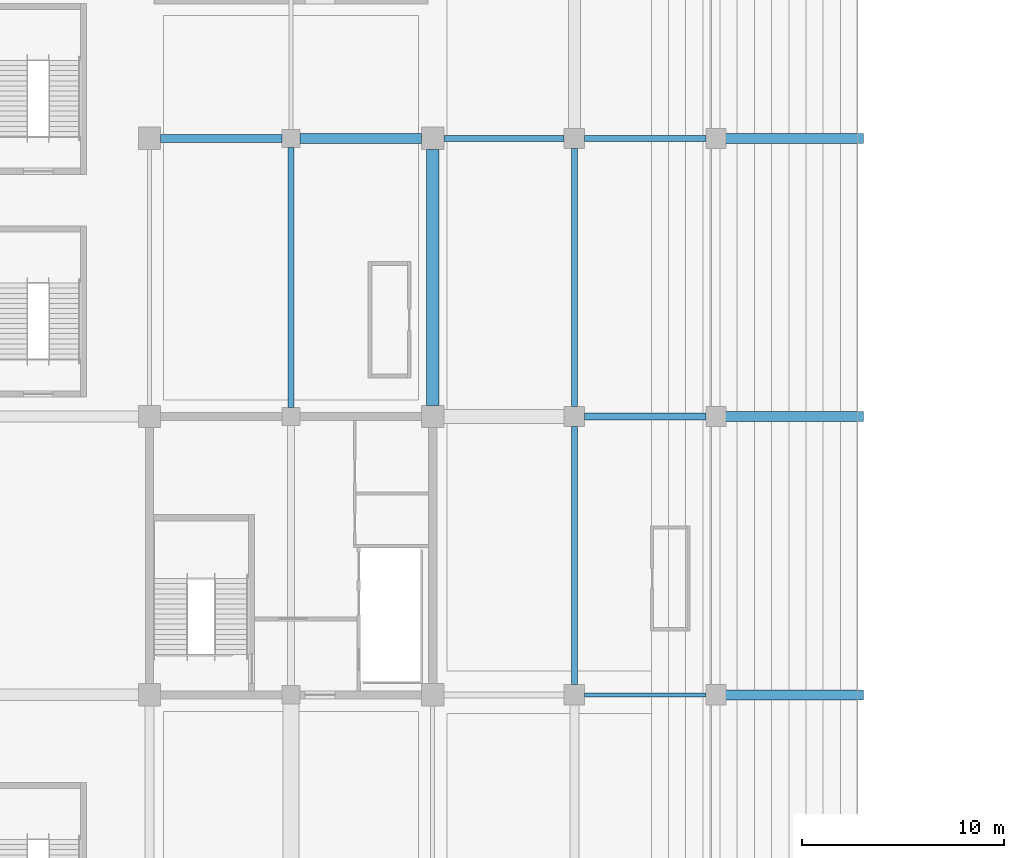
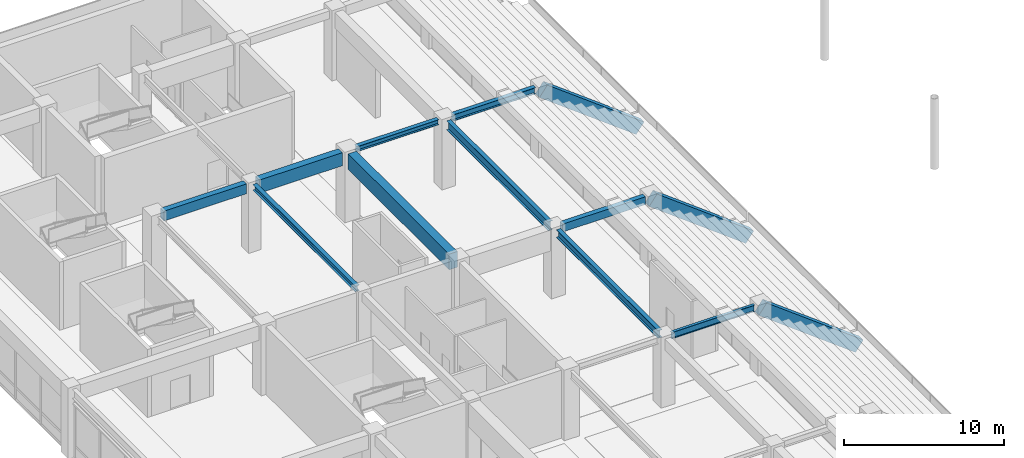
# One storey, part 47 of 117: 13 beams.
"""IFC4 building model written with IfcOpenShell, lengths in metres."""

import ifcopenshell
import ifcopenshell.guid

model = None  # the IFC model being written
_history = None  # IfcOwnerHistory: only IFC2X3 demands one
_inside = {}  # id of a spatial element -> (the spatial element, [elements in it])
_under = {}  # id of a project, library or spatial element -> (it, [spatial elements below it])
_declared = {}  # id of a project -> (the project, [libraries it declares])
_typed = {}  # id of a type object -> (the type object, [elements of that type])
_made_of = {}  # id of a material, layer set ... -> (it, [elements and type objects made of it])


def new_model(schema):
    """Start an empty IFC model of exactly this schema.

    Asked for "IFC4X3", IfcOpenShell would pick the latest addendum, in which some entities
    have other attributes; the version numbers below select the first issue.
    IFC2X3 requires an IfcOwnerHistory on every rooted entity: one is made here for all.
    """
    global model, _history
    if schema == "IFC4X3":
        model = ifcopenshell.file(schema_version=(4, 3, 0, 0))
    else:
        model = ifcopenshell.file(schema=schema)
    _inside.clear()
    _under.clear()
    _declared.clear()
    _typed.clear()
    _made_of.clear()
    _history = None
    if model.schema == "IFC2X3":
        org = make("IfcOrganization", Name="unknown")
        user = make(
            "IfcPersonAndOrganization",
            ThePerson=make("IfcPerson", FamilyName="unknown"),
            TheOrganization=org,
        )
        app = make(
            "IfcApplication",
            ApplicationDeveloper=org,
            Version="unknown",
            ApplicationFullName="unknown",
            ApplicationIdentifier="unknown",
        )
        _history = make(
            "IfcOwnerHistory",
            OwningUser=user,
            OwningApplication=app,
            ChangeAction="ADDED",
            CreationDate=0,
        )
    return model


def make(cls, **values):
    """One entity of the class cls with the attributes given. An attribute that is None is left unset."""
    return model.create_entity(
        cls, **{name: value for name, value in values.items() if value is not None}
    )


def rooted(cls, **values):
    """An entity with a GlobalId (a new one), such as an element, a storey or a relation."""
    return make(cls, GlobalId=ifcopenshell.guid.new(), OwnerHistory=_history, **values)


def si_unit(unit_type, name, prefix=None):
    """IfcSIUnit, for example si_unit("LENGTHUNIT", "METRE", prefix="MILLI")."""
    return make("IfcSIUnit", UnitType=unit_type, Prefix=prefix, Name=name)


def assignment(units):
    """IfcUnitAssignment: the units of a project."""
    return None if units is None else make("IfcUnitAssignment", Units=units)


def point(xyz):
    """IfcCartesianPoint."""
    return None if xyz is None else make("IfcCartesianPoint", Coordinates=xyz)


def direction(xyz):
    """IfcDirection."""
    return None if xyz is None else make("IfcDirection", DirectionRatios=xyz)


def frame(location, z_axis=None, x_axis=None):
    """IfcAxis2Placement3D, a coordinate frame: its origin and axes. An axis left out is left unset."""
    return make(
        "IfcAxis2Placement3D",
        Location=point(location),
        Axis=direction(z_axis),
        RefDirection=direction(x_axis),
    )


def frame_2d(location, x_axis=None):
    """IfcAxis2Placement2D, a coordinate frame in the plane: its origin and x axis."""
    return make(
        "IfcAxis2Placement2D", Location=point(location), RefDirection=direction(x_axis)
    )


def origin():
    """The frame at (0, 0, 0) with its axes left unset."""
    return frame((0.0, 0.0, 0.0))


def origin_2d():
    """The frame at (0, 0) in the plane with its x axis left unset."""
    return frame_2d((0.0, 0.0))


def place(relative_to, where):
    """IfcLocalPlacement: puts the frame where relative to a parent placement (None: the world)."""
    return make(
        "IfcLocalPlacement", PlacementRelTo=relative_to, RelativePlacement=where
    )


def context(
    kind, dimensions, precision=None, world=None, true_north=None, identifier=None
):
    """IfcGeometricRepresentationContext, for example the 3D "Model" context."""
    return make(
        "IfcGeometricRepresentationContext",
        ContextIdentifier=identifier,
        ContextType=kind,
        CoordinateSpaceDimension=dimensions,
        Precision=precision,
        WorldCoordinateSystem=world,
        TrueNorth=true_north,
    )


def subcontext(parent, identifier, kind, view, scale=None):
    """IfcGeometricRepresentationSubContext, for example "Body" below "Model"."""
    return make(
        "IfcGeometricRepresentationSubContext",
        ContextIdentifier=identifier,
        ContextType=kind,
        ParentContext=parent,
        TargetScale=scale,
        TargetView=view,
    )


def project(units=None, contexts=None):
    """IfcProject with its units and contexts."""
    return rooted(
        "IfcProject",
        Name="project",
        RepresentationContexts=contexts,
        UnitsInContext=assignment(units),
    )


def spatial(cls, under=None, at=None, **own):
    """A site, building, storey or space (cls), placed at a placement, below another one or the project."""
    s = rooted(cls, ObjectPlacement=at, **own)
    if under is not None:
        _under.setdefault(under.id(), (under, []))[1].append(s)
    return s


def profile(cls, at=None, kind="AREA", **sizes):
    """A parametric profile (cls). Its sizes go by their IFC names, for example OverallWidth=200.0."""
    return make(cls, ProfileType=kind, Position=at, **sizes)


def rectangle(**sizes):
    """IfcRectangleProfileDef."""
    return profile("IfcRectangleProfileDef", **sizes)


def i_section(**sizes):
    """IfcIShapeProfileDef."""
    return profile("IfcIShapeProfileDef", **sizes)


def extrude(swept, where, along, depth):
    """IfcExtrudedAreaSolid: the profile swept, set in the frame where, extruded along a direction by depth."""
    return make(
        "IfcExtrudedAreaSolid",
        SweptArea=swept,
        Position=where,
        ExtrudedDirection=direction(along),
        Depth=depth,
    )


def shape(context_of_items, identifier, shape_type, items):
    """IfcShapeRepresentation: the items that make up one representation, for example the "Body"."""
    return make(
        "IfcShapeRepresentation",
        ContextOfItems=context_of_items,
        RepresentationIdentifier=identifier,
        RepresentationType=shape_type,
        Items=items,
    )


def material(Name=None, Category=None):
    """IfcMaterial."""
    return make("IfcMaterial", Name=Name, Category=Category)


def material_profile(
    of_material, cross_section, Name=None, Category=None, Priority=None
):
    """IfcMaterialProfile: a cross section and its material."""
    return make(
        "IfcMaterialProfile",
        Name=Name,
        Material=of_material,
        Profile=cross_section,
        Priority=Priority,
        Category=Category,
    )


def profile_set(profiles, Name=None, composite=None):
    """IfcMaterialProfileSet."""
    return make(
        "IfcMaterialProfileSet",
        Name=Name,
        MaterialProfiles=profiles,
        CompositeProfile=composite,
    )


def made_of(thing, what):
    """Note that an element or type object is made of a material, layer set ...; save() writes the relation."""
    if what is not None:
        _made_of.setdefault(what.id(), (what, []))[1].append(thing)
    return thing


def type_object(cls, material=None, **own):
    """A type object (cls), such as IfcWallType, which elements share."""
    return made_of(rooted(cls, **own), material)


def element(
    cls,
    number,
    at=None,
    inside=None,
    cuts=None,
    type_object=None,
    material=None,
    context=None,
    identifier="Body",
    shape_type=None,
    held_by="IfcProductDefinitionShape",
    body=None,
    shapes=None,
    **own,
):
    """One element of the class cls, such as IfcWall. Its Tag is "e" and its number.

    at: its placement. inside: the storey or other place that contains it. cuts: it is an
    opening in that element (IfcRelVoidsElement). A single representation is given by context,
    identifier, shape_type and body (its items); several are given by shapes. held_by: the class
    of the entity that holds the representations. save() writes the other relations.
    """
    e = rooted(cls, Tag="e%d" % number, ObjectPlacement=at, **own)
    if body is not None:
        shapes = [shape(context, identifier, shape_type, body)]
    if shapes is not None:
        e.Representation = make(held_by, Representations=shapes)
    if inside is not None:
        _inside.setdefault(inside.id(), (inside, []))[1].append(e)
    if cuts is not None:
        rooted(
            "IfcRelVoidsElement", RelatingBuildingElement=cuts, RelatedOpeningElement=e
        )
    if type_object is not None:
        _typed.setdefault(type_object.id(), (type_object, []))[1].append(e)
    return made_of(e, material)


def aggregate(whole, parts):
    """IfcRelAggregates: a whole, such as a stair, and the parts it consists of."""
    return rooted("IfcRelAggregates", RelatingObject=whole, RelatedObjects=parts)


def save(model, path):
    """Write the relations noted so far, then the file.

    IfcRelAggregates (storeys below a building ...), IfcRelContainedInSpatialStructure (elements
    in a storey), IfcRelDefinesByType, IfcRelAssociatesMaterial and IfcRelDeclares: one each for
    every whole, place, type object, material and project.
    """
    for whole, parts in _under.values():
        aggregate(whole, parts)
    for where, things in _inside.values():
        rooted(
            "IfcRelContainedInSpatialStructure",
            RelatedElements=things,
            RelatingStructure=where,
        )
    for kind, things in _typed.values():
        rooted("IfcRelDefinesByType", RelatedObjects=things, RelatingType=kind)
    for what, things in _made_of.values():
        rooted("IfcRelAssociatesMaterial", RelatedObjects=things, RelatingMaterial=what)
    for by, libraries in _declared.values():
        rooted("IfcRelDeclares", RelatingContext=by, RelatedDefinitions=libraries)
    model.write(path)


model = new_model("IFC4")

# Units and contexts
model_context = context("Model", 3, precision=1e-05, world=origin(), true_north=direction((0.0, 1.0)))
body_context = subcontext(model_context, "Body", "Model", "MODEL_VIEW")
ifc_project = project(units=[si_unit("LENGTHUNIT", "METRE"), si_unit("AREAUNIT", "SQUARE_METRE"), si_unit("VOLUMEUNIT", "CUBIC_METRE"), si_unit("PLANEANGLEUNIT", "RADIAN"), si_unit("MASSUNIT", "GRAM", prefix="KILO")], contexts=[model_context])

# Site, building, storey
site_placement = place(None, origin())
site = spatial("IfcSite", under=ifc_project, at=site_placement, CompositionType="ELEMENT")
building_placement = place(site_placement, origin())
building = spatial("IfcBuilding", under=site, at=building_placement, Name="Linyun Crest Stadium", CompositionType="ELEMENT")
storey_placement = place(building_placement, frame((0.0, 0.0, 6.0)))
storey = spatial("IfcBuildingStorey", under=building, at=storey_placement, Name="L02", CompositionType="ELEMENT", Elevation=6.0)

# Beams
ifc_material_1 = material(Name="Concrete C40", Category="concrete")
ifc_material_profile_1 = material_profile(ifc_material_1, rectangle(XDim=0.35009765625, YDim=0.60009765625, at=origin_2d()), Name="RCB 600x350")
ifc_profile_set_1 = profile_set([ifc_material_profile_1], Name="Concrete C40")
beam_type_1 = type_object("IfcBeamType", Name="B01", PredefinedType="BEAM", material=ifc_profile_set_1)
beam_1_placement = place(storey_placement, frame((-62.5, 15.875, 4.89990234375), z_axis=(1.0, 0.0, 0.0), x_axis=(0.0, 1.0, 0.0)))
element("IfcBeam", 1, at=beam_1_placement, inside=storey, type_object=beam_type_1, Name="Frame beam B01 L02 189", PredefinedType="BEAM", context=body_context, shape_type="SweptSolid", body=[
    extrude(rectangle(XDim=0.35009765625, YDim=0.60009765625, at=origin_2d()), origin(), (0.0, 0.0, 1.0), 6.0),
])
ifc_material_2 = material(Name="Concrete C40", Category="concrete")
ifc_material_profile_2 = material_profile(ifc_material_2, rectangle(XDim=0.39990234375, YDim=0.75, at=origin_2d()), Name="RCB 750x400")
ifc_profile_set_2 = profile_set([ifc_material_profile_2], Name="Concrete C40")
beam_type_2 = type_object("IfcBeamType", Name="B03", PredefinedType="BEAM", material=ifc_profile_set_2)
beam_2_placement = place(storey_placement, frame((-83.449951171875, 29.625, 4.824951171875), z_axis=(1.0, 0.0, 0.0), x_axis=(0.0, 1.0, 0.0)))
element("IfcBeam", 2, at=beam_2_placement, inside=storey, type_object=beam_type_2, Name="Frame beam B03 L02 190", PredefinedType="BEAM", context=body_context, shape_type="SweptSolid", body=[
    extrude(rectangle(XDim=0.39990234375, YDim=0.75, at=origin_2d()), origin(), (0.0, 0.0, 1.0), 6.0),
])
ifc_material_3 = material(Name="Concrete C40", Category="concrete")
ifc_material_profile_3 = material_profile(ifc_material_3, rectangle(XDim=0.5, YDim=1.0, at=origin_2d()), Name="RCB 1000x500")
ifc_profile_set_3 = profile_set([ifc_material_profile_3], Name="Concrete C40")
beam_type_3 = type_object("IfcBeamType", Name="B05", PredefinedType="BEAM", material=ifc_profile_set_3)
beam_3_placement = place(storey_placement, frame((-76.550048828125, 29.625, 4.699951171875), z_axis=(1.0, 0.0, 0.0), x_axis=(0.0, 1.0, 0.0)))
element("IfcBeam", 3, at=beam_3_placement, inside=storey, type_object=beam_type_3, Name="Frame beam B05 L02 191", PredefinedType="BEAM", context=body_context, shape_type="SweptSolid", body=[
    extrude(rectangle(XDim=0.5, YDim=1.0, at=origin_2d()), origin(), (0.0, 0.0, 1.0), 6.0),
])
ifc_material_4 = material(Name="Steel Q355C", Category="steel")
ifc_material_profile_4 = material_profile(ifc_material_4, i_section(OverallWidth=0.300048828125, OverallDepth=0.389892578125, WebThickness=0.010009765625, FlangeThickness=0.01611328125, at=origin_2d()), Name="HM 390x300")
ifc_profile_set_4 = profile_set([ifc_material_profile_4], Name="Steel Q355C")
beam_type_4 = type_object("IfcBeamType", Name="B06", PredefinedType="BEAM", material=ifc_profile_set_4)
beam_4_placement = place(storey_placement, frame((-69.449951171875, 29.625, 5.0048828125), z_axis=(1.0, 0.0, 0.0), x_axis=(0.0, 1.0, 0.0)))
element("IfcBeam", 4, at=beam_4_placement, inside=storey, type_object=beam_type_4, Name="Frame beam B06 L02 192", PredefinedType="BEAM", context=body_context, shape_type="SweptSolid", body=[
    extrude(i_section(OverallWidth=0.300048828125, OverallDepth=0.389892578125, WebThickness=0.010009765625, FlangeThickness=0.01611328125, at=origin_2d()), origin(), (0.0, 0.0, 1.0), 5.949951171875),
])
ifc_material_5 = material(Name="Steel Q355C", Category="steel")
ifc_material_profile_5 = material_profile(ifc_material_5, i_section(OverallWidth=0.300048828125, OverallDepth=0.43994140625, WebThickness=0.010986328125, FlangeThickness=0.01806640625, at=origin_2d()), Name="HM 440x300")
ifc_profile_set_5 = profile_set([ifc_material_profile_5], Name="Steel Q355C")
beam_type_5 = type_object("IfcBeamType", Name="B07", PredefinedType="BEAM", material=ifc_profile_set_5)
beam_5_placement = place(storey_placement, frame((-77.0, 16.324951171875, 4.97998046875), z_axis=(0.0, 1.0, 0.0), x_axis=(-1.0, 0.0, 0.0)))
element("IfcBeam", 5, at=beam_5_placement, inside=storey, type_object=beam_type_5, Name="Frame beam B07 L02 214", PredefinedType="BEAM", context=body_context, shape_type="SweptSolid", body=[
    extrude(i_section(OverallWidth=0.300048828125, OverallDepth=0.43994140625, WebThickness=0.010986328125, FlangeThickness=0.01806640625, at=origin_2d()), origin(), (0.0, 0.0, 1.0), 12.85009765625),
])
ifc_material_6 = material(Name="Steel Q355C", Category="steel")
ifc_material_profile_6 = material_profile(ifc_material_6, i_section(OverallWidth=0.300048828125, OverallDepth=0.488037109375, WebThickness=0.010986328125, FlangeThickness=0.01806640625, at=origin_2d()), Name="HM 488x300")
ifc_profile_set_6 = profile_set([ifc_material_profile_6], Name="Steel Q355C")
beam_type_6 = type_object("IfcBeamType", Name="B08", PredefinedType="BEAM", material=ifc_profile_set_6)
beam_6_placement = place(storey_placement, frame((-62.5, 29.625, 4.9560546875), z_axis=(1.0, 0.0, 0.0), x_axis=(0.0, 1.0, 0.0)))
element("IfcBeam", 6, at=beam_6_placement, inside=storey, type_object=beam_type_6, Name="Frame beam B08 L02 193", PredefinedType="BEAM", context=body_context, shape_type="SweptSolid", body=[
    extrude(i_section(OverallWidth=0.300048828125, OverallDepth=0.488037109375, WebThickness=0.010986328125, FlangeThickness=0.01806640625, at=origin_2d()), origin(), (0.0, 0.0, 1.0), 6.0),
])
ifc_material_7 = material(Name="Steel Q355C", Category="steel")
ifc_material_profile_7 = material_profile(ifc_material_7, i_section(OverallWidth=0.300048828125, OverallDepth=0.587890625, WebThickness=0.011962890625, FlangeThickness=0.02001953125, at=origin_2d()), Name="HM 588x300")
ifc_profile_set_7 = profile_set([ifc_material_profile_7], Name="Steel Q355C")
beam_type_7 = type_object("IfcBeamType", Name="B09", PredefinedType="BEAM", material=ifc_profile_set_7)
beam_7_placement = place(storey_placement, frame((-63.0, 2.625, 4.906005859375), z_axis=(0.0, 1.0, 0.0), x_axis=(-1.0, 0.0, 0.0)))
element("IfcBeam", 7, at=beam_7_placement, inside=storey, type_object=beam_type_7, Name="Frame beam B09 L02 224", PredefinedType="BEAM", context=body_context, shape_type="SweptSolid", body=[
    extrude(i_section(OverallWidth=0.300048828125, OverallDepth=0.587890625, WebThickness=0.011962890625, FlangeThickness=0.02001953125, at=origin_2d()), origin(), (0.0, 0.0, 1.0), 12.75),
])
ifc_material_8 = material(Name="Steel Q355C", Category="steel")
ifc_material_profile_8 = material_profile(ifc_material_8, i_section(OverallWidth=0.199951171875, OverallDepth=0.5, WebThickness=0.010009765625, FlangeThickness=0.01611328125, at=origin_2d()), Name="HN 500x200")
ifc_profile_set_8 = profile_set([ifc_material_profile_8], Name="Steel Q355C")
beam_type_8 = type_object("IfcBeamType", Name="B10", PredefinedType="BEAM", material=ifc_profile_set_8)
beam_8_placement = place(storey_placement, frame((-62.5, 2.125, 4.949951171875), z_axis=(1.0, 0.0, 0.0), x_axis=(0.0, 1.0, 0.0)))
element("IfcBeam", 8, at=beam_8_placement, inside=storey, type_object=beam_type_8, Name="Frame beam B10 L02 186", PredefinedType="BEAM", context=body_context, shape_type="SweptSolid", body=[
    extrude(i_section(OverallWidth=0.199951171875, OverallDepth=0.5, WebThickness=0.010009765625, FlangeThickness=0.01611328125, at=origin_2d()), origin(), (0.0, 0.0, 1.0), 6.0),
])
ifc_material_9 = material(Name="Steel Q355C", Category="steel")
ifc_material_profile_9 = material_profile(ifc_material_9, i_section(OverallWidth=0.300048828125, OverallDepth=0.699951171875, WebThickness=0.012939453125, FlangeThickness=0.02392578125, at=origin_2d()), Name="HN 700x300")
ifc_profile_set_9 = profile_set([ifc_material_profile_9], Name="Steel Q355C")
beam_type_9 = type_object("IfcBeamType", Name="B12", PredefinedType="BEAM", material=ifc_profile_set_9)
beam_9_placement = place(storey_placement, frame((-63.0, 16.375, 4.85009765625), z_axis=(0.0, 1.0, 0.0), x_axis=(-1.0, 0.0, 0.0)))
element("IfcBeam", 9, at=beam_9_placement, inside=storey, type_object=beam_type_9, Name="Frame beam B12 L02 225", PredefinedType="BEAM", context=body_context, shape_type="SweptSolid", body=[
    extrude(i_section(OverallWidth=0.300048828125, OverallDepth=0.699951171875, WebThickness=0.012939453125, FlangeThickness=0.02392578125, at=origin_2d()), origin(), (0.0, 0.0, 1.0), 12.75),
])
ifc_material_10 = material(Name="Precast concrete C50", Category="concrete")
ifc_material_profile_10 = material_profile(ifc_material_10, rectangle(XDim=0.5, YDim=0.949951171875, at=origin_2d()), Name="PCR 950x500")
ifc_profile_set_10 = profile_set([ifc_material_profile_10], Name="Precast concrete C50")
beam_type_10 = type_object("IfcBeamType", Name="RB01", PredefinedType="USERDEFINED", material=ifc_profile_set_10)
for number, where, z_axis, x_axis, name in (
    (10, (-49.0, 2.125, -0.47998046875), (-0.798353067066, 0.0, 0.602189654765), (0.0, -1.0, 0.0), "Precast raker beam RB01 V1 34"),
    (11, (-49.0, 15.875, -0.47998046875), (-0.798353067066, 0.0, 0.602189654765), (0.0, -1.0, 0.0), "Precast raker beam RB01 V1 42"),
    (12, (-49.0, 29.625, -0.47998046875), (-0.798353067066, 0.0, 0.602189654765), (0.0, -1.0, 0.0), "Precast raker beam RB01 V1 50"),
):
    element("IfcBeam", number, at=place(storey_placement, frame(where, z_axis=z_axis, x_axis=x_axis)), inside=storey, type_object=beam_type_10, Name=name, ObjectType="RAKER", PredefinedType="USERDEFINED", context=body_context, shape_type="SweptSolid", body=[
        extrude(rectangle(XDim=0.5, YDim=0.949951171875, at=origin_2d()), origin(), (0.0, 0.0, 1.0), 8.76806640625),
    ])
ifc_material_11 = material(Name="Concrete C50", Category="concrete")
ifc_material_profile_11 = material_profile(ifc_material_11, rectangle(XDim=0.60009765625, YDim=1.199951171875, at=origin_2d()), Name="RCB 1200x600")
ifc_profile_set_11 = profile_set([ifc_material_profile_11], Name="Concrete C50")
beam_type_11 = type_object("IfcBeamType", Name="TB02", PredefinedType="USERDEFINED", material=ifc_profile_set_11)
beam_10_placement = place(storey_placement, frame((-70.0, 16.425048828125, 4.60009765625), z_axis=(0.0, 1.0, 0.0), x_axis=(-1.0, 0.0, 0.0)))
element("IfcBeam", 13, at=beam_10_placement, inside=storey, type_object=beam_type_11, Name="Frame beam TB02 L02 219", ObjectType="GIRDER", PredefinedType="USERDEFINED", context=body_context, shape_type="SweptSolid", body=[
    extrude(rectangle(XDim=0.60009765625, YDim=1.199951171875, at=origin_2d()), origin(), (0.0, 0.0, 1.0), 12.64990234375),
])

save(model, "model.ifc")
